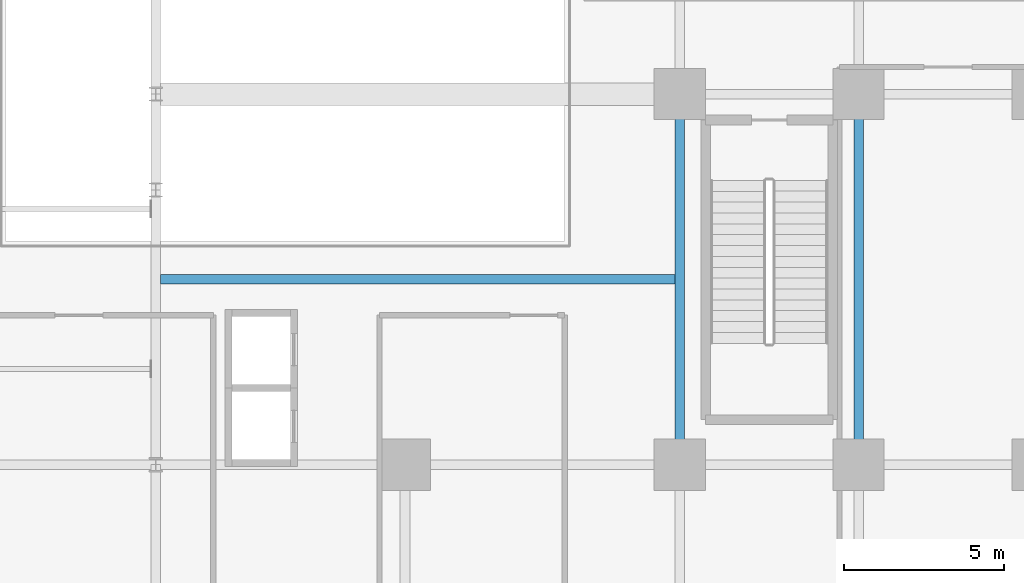
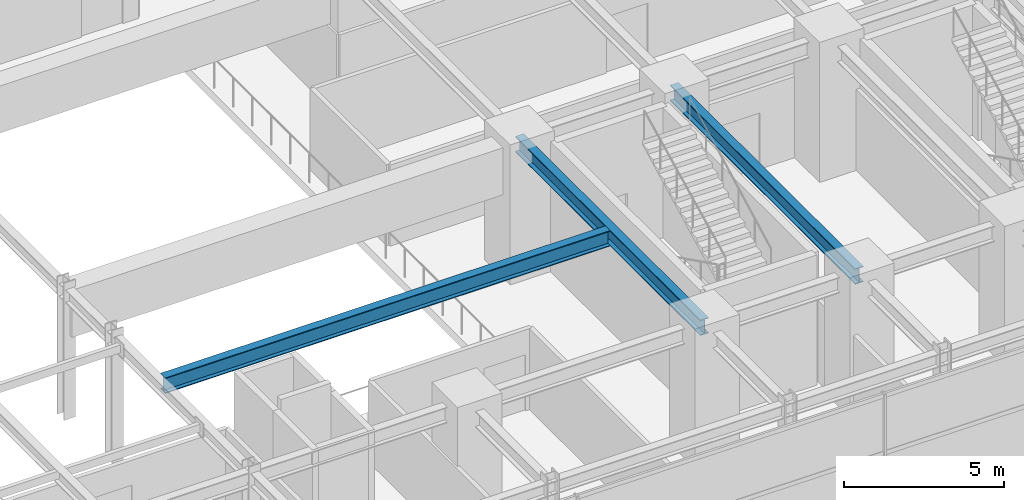
# One storey, part 7 of 35: 3 beams.
"""IFC4 building model written with IfcOpenShell, lengths in metres."""

from ifc_helpers import new_model, si_unit, direction, frame, origin, origin_2d, place, context, subcontext, project, spatial, i_section, extrude, source, transform, mapped, material, material_profile, profile_set, type_object, element, save


model = new_model("IFC4")

# Units and contexts
model_context = context("Model", 3, precision=1e-05, world=origin(), true_north=direction((0.0, 1.0)))
body_context = subcontext(model_context, "Body", "Model", "MODEL_VIEW")
ifc_project = project(units=[si_unit("LENGTHUNIT", "METRE"), si_unit("AREAUNIT", "SQUARE_METRE"), si_unit("VOLUMEUNIT", "CUBIC_METRE"), si_unit("PLANEANGLEUNIT", "RADIAN"), si_unit("MASSUNIT", "GRAM", prefix="KILO")], contexts=[model_context])

# Site, building, storey
site_placement = place(None, origin())
site = spatial("IfcSite", under=ifc_project, at=site_placement, CompositionType="ELEMENT")
building_placement = place(site_placement, origin())
building = spatial("IfcBuilding", under=site, at=building_placement, Name="Nahalor Promenade Grand Hotel", CompositionType="ELEMENT")
storey_placement = place(building_placement, frame((0.0, 0.0, 21.60009765625)))
storey = spatial("IfcBuildingStorey", under=building, at=storey_placement, Name="L04", CompositionType="ELEMENT", Elevation=21.60009765625)

# Beams
ifc_material = material(Name="Steel S355JR", Category="steel")
ifc_material_profile = material_profile(ifc_material, i_section(OverallWidth=0.3, OverallDepth=0.6, WebThickness=0.0155, FlangeThickness=0.03, at=origin_2d()), Name="HEB 600")
ifc_profile_set = profile_set([ifc_material_profile], Name="Steel S355JR")
beam_type = type_object("IfcBeamType", Name="Beam-Girder-HEB600", PredefinedType="BEAM", material=ifc_profile_set)
shared_shape_1 = source(origin(), body_context, "Body", "SweptSolid", [
    extrude(i_section(OverallWidth=0.3, OverallDepth=0.6, WebThickness=0.0155, FlangeThickness=0.03, at=origin_2d()), origin(), (0.0, 0.0, 1.0), 11.60009765625),
])
for number, where, z_axis, x_axis, name in (
    (1, (-8.39990234375, -17.0, 4.679931640625), (0.0, 1.0, 0.0), (-1.0, 0.0, 0.0), "BM-L04-GY-1-1"),
    (2, (-2.800048828125, -17.0, 4.679931640625), (0.0, 1.0, 0.0), (-1.0, 0.0, 0.0), "BM-L04-GY-2-1"),
):
    element("IfcBeam", number, at=place(storey_placement, frame(where, z_axis=z_axis, x_axis=x_axis)), inside=storey, type_object=beam_type, Name=name, PredefinedType="BEAM", context=body_context, shape_type="MappedRepresentation", body=[
        mapped(shared_shape_1, transform((0.0, 0.0, 0.0), scale=1.0)),
    ])
shared_shape_2 = source(origin(), body_context, "Body", "SweptSolid", [
    extrude(i_section(OverallWidth=0.3, OverallDepth=0.6, WebThickness=0.0155, FlangeThickness=0.03, at=origin_2d()), origin(), (0.0, 0.0, 1.0), 16.099853515625),
])
beam_placement = place(storey_placement, frame((-24.64990234375, -11.199951171875, 4.679931640625), z_axis=(1.0, 0.0, 0.0), x_axis=(0.0, 1.0, 0.0)))
element("IfcBeam", 3, at=beam_placement, inside=storey, type_object=beam_type, Name="BM-L04-JSW-0-SPAN", PredefinedType="BEAM", context=body_context, shape_type="MappedRepresentation", body=[
    mapped(shared_shape_2, transform((0.0, 0.0, 0.0), scale=1.0)),
])

save(model, "model.ifc")
